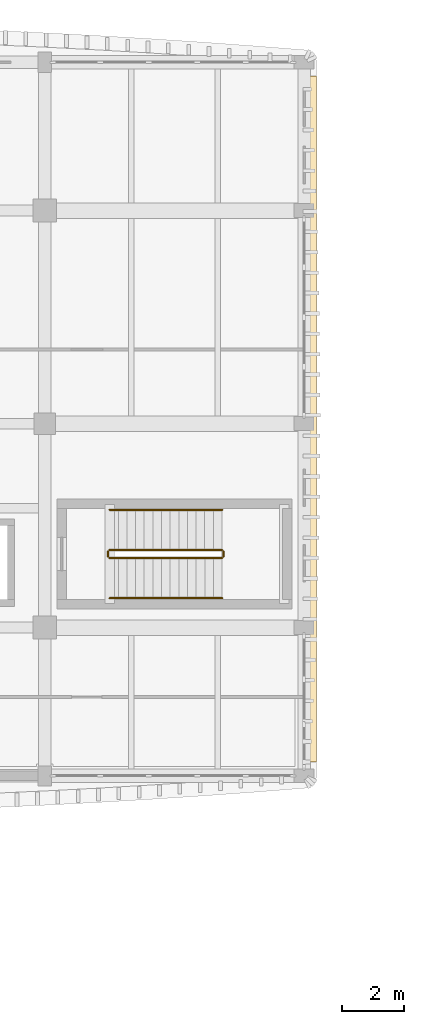
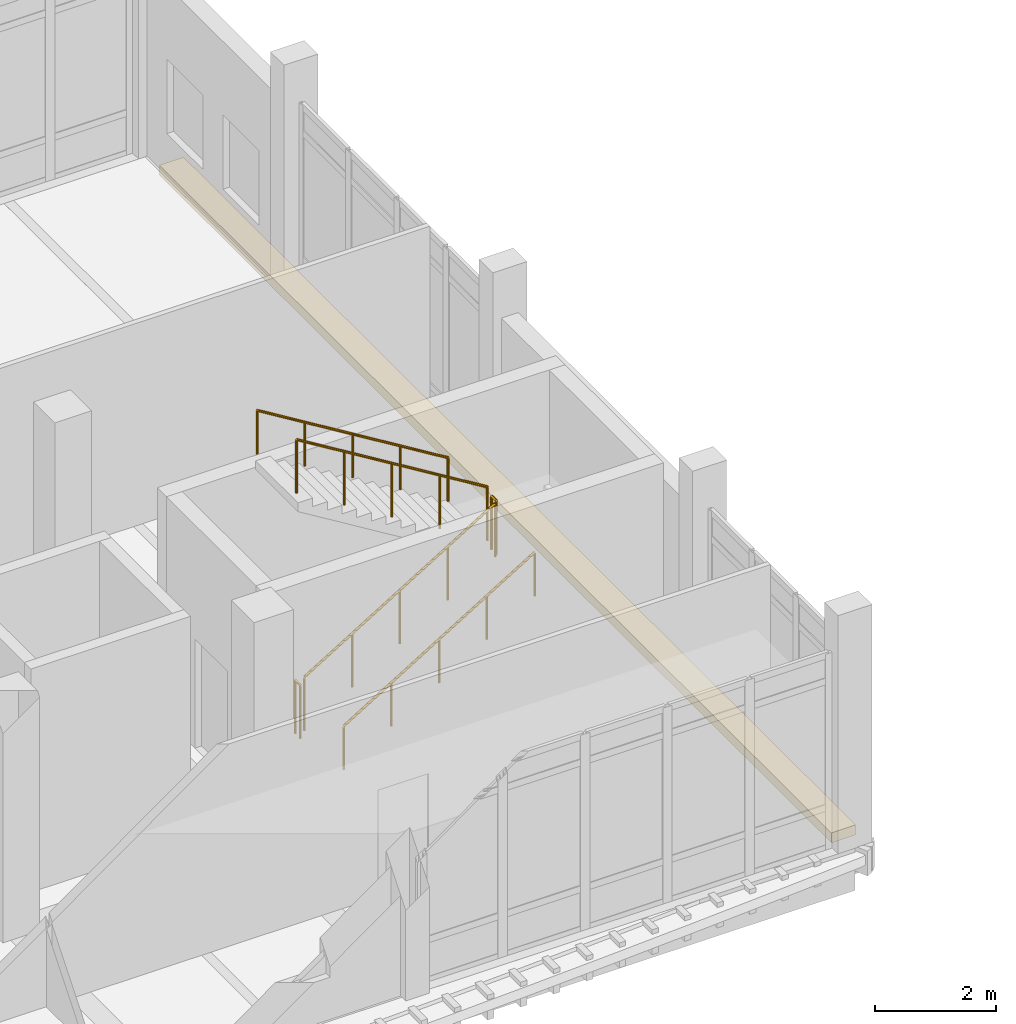
# One storey, part 30 of 39: 6 railings, 1 covering.
"""IFC4 building model written with IfcOpenShell, lengths in metres."""

from ifc_helpers import new_model, si_unit, direction, frame, origin, origin_2d, place, context, subcontext, project, spatial, polyline, circle, outline, extrude, material, layer, layer_set, type_object, element, save


model = new_model("IFC4")

# Units and contexts
model_context = context("Model", 3, precision=1e-05, world=origin(), true_north=direction((0.0, 1.0)))
body_context = subcontext(model_context, "Body", "Model", "MODEL_VIEW")
ifc_project = project(units=[si_unit("LENGTHUNIT", "METRE"), si_unit("AREAUNIT", "SQUARE_METRE"), si_unit("VOLUMEUNIT", "CUBIC_METRE"), si_unit("PLANEANGLEUNIT", "RADIAN"), si_unit("MASSUNIT", "GRAM", prefix="KILO")], contexts=[model_context])

# Site, building, storey
site_placement = place(None, origin())
site = spatial("IfcSite", under=ifc_project, at=site_placement, CompositionType="ELEMENT")
building_placement = place(site_placement, origin())
building = spatial("IfcBuilding", under=site, at=building_placement, Name="Dornvale Research Institute", CompositionType="ELEMENT")
storey_placement = place(building_placement, frame((0.0, 0.0, 24.60009765625)))
storey = spatial("IfcBuildingStorey", under=building, at=storey_placement, Name="L05", CompositionType="ELEMENT", Elevation=24.60009765625)

# Covering
ifc_material_1 = material(Name="Polychrome Glazed Terracotta Visor Rib Ceramic", Category="masonry")
ifc_layer_1 = layer(ifc_material_1, 0.199951171875)
ifc_layer_set_1 = layer_set([ifc_layer_1], Name="Polychrome Glazed Terracotta Visor Rib Ceramic")
covering_type = type_object("IfcCoveringType", Name="Covering_VisorBrim_Shelf", PredefinedType="CLADDING", material=ifc_layer_set_1)
covering_placement = place(storey_placement, frame((0.0, 0.0, -0.280029296875)))
element("IfcCovering", 1, at=covering_placement, inside=storey, type_object=covering_type, Name="L05 V5 canted bowed-brim visor hood #24", PredefinedType="CLADDING", context=body_context, shape_type="SweptSolid", body=[
    extrude(outline(polyline([(41.80322265625, 99.449951171875), (41.340087890625, 99.449951171875), (41.340087890625, 121.64990234375), (41.80322265625, 121.64990234375), (41.80322265625, 99.449951171875)])), origin(), (0.0, 0.0, 1.0), 0.199951171875),
])

# Railings
ifc_material_2 = material(Name="Galvanized Painted Tubular Steel Stair Rail", Category="steel")
ifc_layer_2 = layer(ifc_material_2, 0.050048828125)
ifc_layer_set_2 = layer_set([ifc_layer_2], Name="Galvanized Painted Tubular Steel Stair Rail")
railing_type_1 = type_object("IfcRailingType", Name="Railing_Stair_Guard_1100", PredefinedType="GUARDRAIL", material=ifc_layer_set_2)
railing_1_placement = place(storey_placement, frame((35.10009765625, 106.050048828125, 0.17138671875)))
element("IfcRailing", 2, at=railing_1_placement, inside=storey, type_object=railing_type_1, Name="L05 ST-2 stair guard 1", PredefinedType="GUARDRAIL", context=body_context, shape_type="SweptSolid", body=[
    extrude(circle(Radius=0.02392578125, at=origin_2d()), frame((0.0, 0.0, 1.076171875), z_axis=(0.852850264322, 0.0, 0.5221555579), x_axis=(0.0, 1.0, 0.0)), (0.0, 0.0, 1.0), 4.267822265625),
    extrude(circle(Radius=0.02099609375, at=origin_2d()), origin(), (0.0, 0.0, 1.0), 1.052001953125),
    extrude(circle(Radius=0.02099609375, at=origin_2d()), frame((0.909912109375, 0.0, 0.55712890625)), (0.0, 0.0, 1.0), 1.052001953125),
    extrude(circle(Radius=0.02099609375, at=origin_2d()), frame((1.81982421875, 0.0, 1.1142578125)), (0.0, 0.0, 1.0), 1.052001953125),
    extrude(circle(Radius=0.02099609375, at=origin_2d()), frame((2.72998046875, 0.0, 1.67138671875)), (0.0, 0.0, 1.0), 1.052001953125),
    extrude(circle(Radius=0.02099609375, at=origin_2d()), frame((3.639892578125, 0.0, 2.228515625)), (0.0, 0.0, 1.0), 1.052001953125),
])
railing_2_placement = place(storey_placement, frame((38.7900390625, 106.10009765625, 2.39990234375)))
element("IfcRailing", 3, at=railing_2_placement, inside=storey, type_object=railing_type_1, Name="L05 ST-2 stair guard 2", PredefinedType="GUARDRAIL", context=body_context, shape_type="SweptSolid", body=[
    extrude(circle(Radius=0.02392578125, at=origin_2d()), frame((0.0, 0.0, 1.076171875), z_axis=(0.0, 1.0, 0.0), x_axis=(-1.0, 0.0, 0.0)), (0.0, 0.0, 1.0), 0.159912109375),
    extrude(circle(Radius=0.02099609375, at=origin_2d()), origin(), (0.0, 0.0, 1.0), 1.052001953125),
    extrude(circle(Radius=0.02099609375, at=origin_2d()), frame((0.0, 0.159912109375, 0.0)), (0.0, 0.0, 1.0), 1.052001953125),
])
railing_3_placement = place(storey_placement, frame((38.739990234375, 106.31005859375, 2.5712890625)))
element("IfcRailing", 4, at=railing_3_placement, inside=storey, type_object=railing_type_1, Name="L05 ST-2 stair guard 3", PredefinedType="GUARDRAIL", context=body_context, shape_type="SweptSolid", body=[
    extrude(circle(Radius=0.02392578125, at=origin_2d()), frame((0.0, 0.0, 1.076171875), z_axis=(-0.852850264322, 0.0, 0.5221555579), x_axis=(0.0, -1.0, 0.0)), (0.0, 0.0, 1.0), 4.267822265625),
    extrude(circle(Radius=0.02099609375, at=origin_2d()), origin(), (0.0, 0.0, 1.0), 1.052001953125),
    extrude(circle(Radius=0.02099609375, at=origin_2d()), frame((-0.909912109375, 0.0, 0.55712890625)), (0.0, 0.0, 1.0), 1.052001953125),
    extrude(circle(Radius=0.02099609375, at=origin_2d()), frame((-1.81982421875, 0.0, 1.1142578125)), (0.0, 0.0, 1.0), 1.052001953125),
    extrude(circle(Radius=0.02099609375, at=origin_2d()), frame((-2.72998046875, 0.0, 1.67138671875)), (0.0, 0.0, 1.0), 1.052001953125),
    extrude(circle(Radius=0.02099609375, at=origin_2d()), frame((-3.639892578125, 0.0, 2.228515625)), (0.0, 0.0, 1.0), 1.052001953125),
])
railing_4_placement = place(storey_placement, frame((35.050048828125, 106.10009765625, 0.0)))
element("IfcRailing", 5, at=railing_4_placement, inside=storey, type_object=railing_type_1, Name="L05 ST-2 stair guard 4", PredefinedType="GUARDRAIL", context=body_context, shape_type="SweptSolid", body=[
    extrude(circle(Radius=0.02392578125, at=origin_2d()), frame((0.0, 0.0, 1.076171875), z_axis=(0.0, 1.0, 0.0), x_axis=(-1.0, 0.0, 0.0)), (0.0, 0.0, 1.0), 0.159912109375),
    extrude(circle(Radius=0.02099609375, at=origin_2d()), origin(), (0.0, 0.0, 1.0), 1.052001953125),
    extrude(circle(Radius=0.02099609375, at=origin_2d()), frame((0.0, 0.159912109375, 0.0)), (0.0, 0.0, 1.0), 1.052001953125),
])
ifc_material_3 = material(Name="Galvanized Painted Tubular Steel Stair Rail", Category="steel")
ifc_layer_3 = layer(ifc_material_3, 0.044921875)
ifc_layer_set_3 = layer_set([ifc_layer_3], Name="Galvanized Painted Tubular Steel Stair Rail")
railing_type_2 = type_object("IfcRailingType", Name="Railing_Stair_Handrail_900", PredefinedType="HANDRAIL", material=ifc_layer_set_3)
railing_5_placement = place(storey_placement, frame((35.10009765625, 104.75, 0.17138671875)))
element("IfcRailing", 6, at=railing_5_placement, inside=storey, type_object=railing_type_2, Name="L05 ST-2 stair handrail 1", PredefinedType="HANDRAIL", context=body_context, shape_type="SweptSolid", body=[
    extrude(circle(Radius=0.02392578125, at=origin_2d()), frame((0.0, 0.0, 0.8759765625), z_axis=(0.852850264322, 0.0, 0.5221555579), x_axis=(0.0, 1.0, 0.0)), (0.0, 0.0, 1.0), 4.267822265625),
    extrude(circle(Radius=0.02099609375, at=origin_2d()), origin(), (0.0, 0.0, 1.0), 0.851806640625),
    extrude(circle(Radius=0.02099609375, at=origin_2d()), frame((0.909912109375, 0.0, 0.55712890625)), (0.0, 0.0, 1.0), 0.851806640625),
    extrude(circle(Radius=0.02099609375, at=origin_2d()), frame((1.81982421875, 0.0, 1.1142578125)), (0.0, 0.0, 1.0), 0.851806640625),
    extrude(circle(Radius=0.02099609375, at=origin_2d()), frame((2.72998046875, 0.0, 1.67138671875)), (0.0, 0.0, 1.0), 0.851806640625),
    extrude(circle(Radius=0.02099609375, at=origin_2d()), frame((3.639892578125, 0.0, 2.228515625)), (0.0, 0.0, 1.0), 0.851806640625),
])
railing_6_placement = place(storey_placement, frame((38.739990234375, 107.610107421875, 2.5712890625)))
element("IfcRailing", 7, at=railing_6_placement, inside=storey, type_object=railing_type_2, Name="L05 ST-2 stair handrail 2", PredefinedType="HANDRAIL", context=body_context, shape_type="SweptSolid", body=[
    extrude(circle(Radius=0.02392578125, at=origin_2d()), frame((0.0, 0.0, 0.8759765625), z_axis=(-0.852850264322, 0.0, 0.5221555579), x_axis=(0.0, -1.0, 0.0)), (0.0, 0.0, 1.0), 4.267822265625),
    extrude(circle(Radius=0.02099609375, at=origin_2d()), origin(), (0.0, 0.0, 1.0), 0.851806640625),
    extrude(circle(Radius=0.02099609375, at=origin_2d()), frame((-0.909912109375, 0.0, 0.55712890625)), (0.0, 0.0, 1.0), 0.851806640625),
    extrude(circle(Radius=0.02099609375, at=origin_2d()), frame((-1.81982421875, 0.0, 1.1142578125)), (0.0, 0.0, 1.0), 0.851806640625),
    extrude(circle(Radius=0.02099609375, at=origin_2d()), frame((-2.72998046875, 0.0, 1.67138671875)), (0.0, 0.0, 1.0), 0.851806640625),
    extrude(circle(Radius=0.02099609375, at=origin_2d()), frame((-3.639892578125, 0.0, 2.228515625)), (0.0, 0.0, 1.0), 0.851806640625),
])

save(model, "model.ifc")
